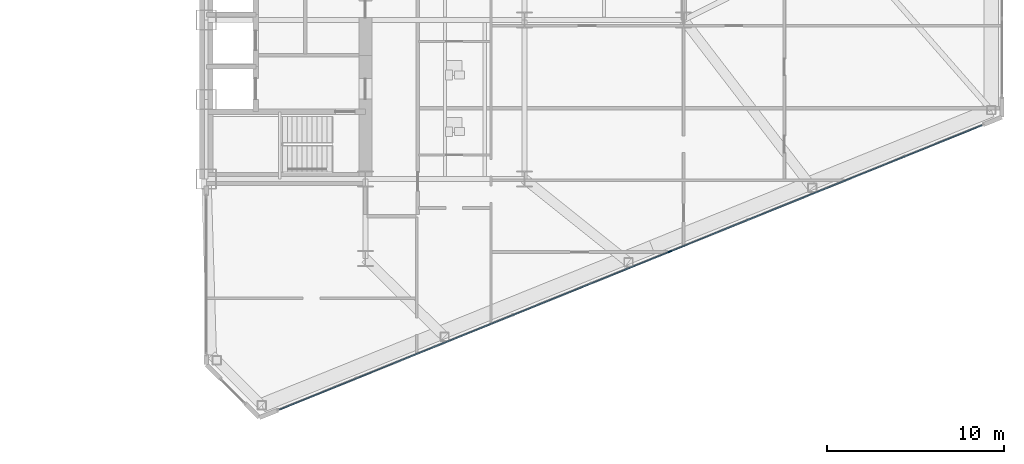
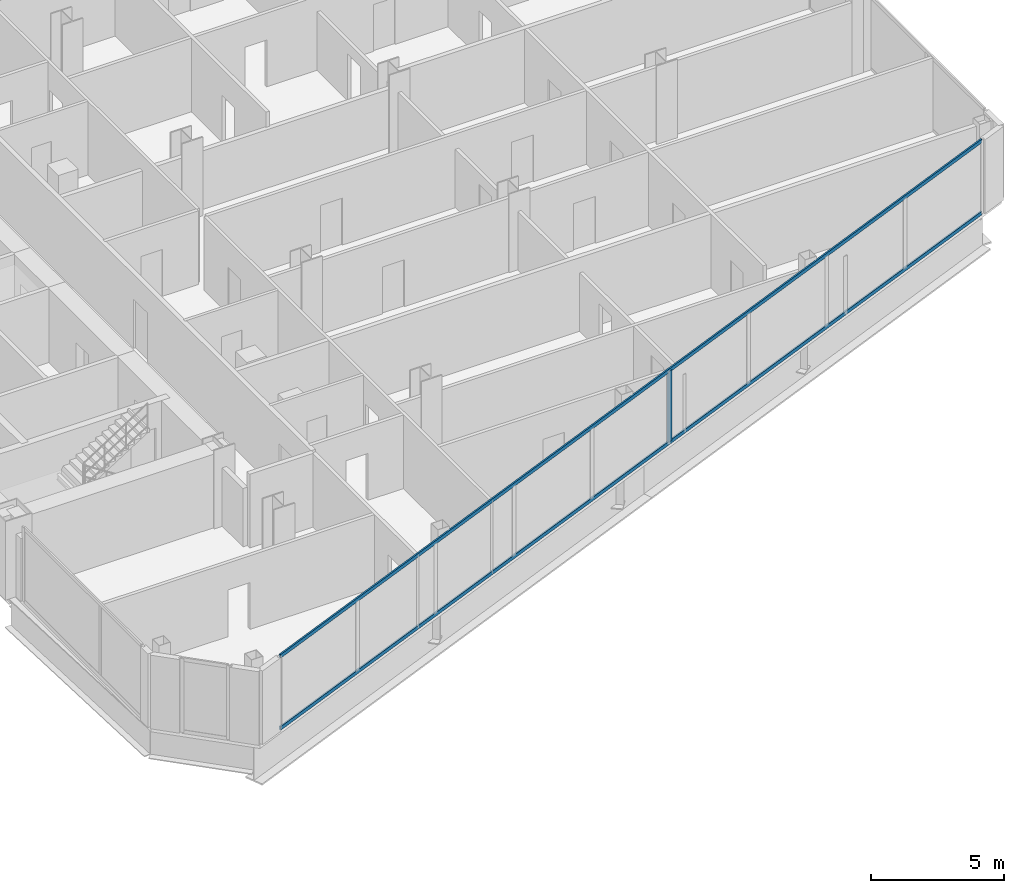
# One storey, part 11 of 26: 3 members, 1 element without a shape of its own.
"""IFC4 building model written with IfcOpenShell, lengths in metres."""

from ifc_helpers import new_model, si_unit, direction, frame, origin, origin_2d, place, context, subcontext, project, spatial, rectangle, extrude, source, transform, mapped, material, layer, layer_set, material_profile, profile_set, type_object, type_shapes, element, aggregate, save


model = new_model("IFC4")

# Units and contexts
model_context = context("Model", 3, precision=1e-05, world=origin(), true_north=direction((0.0, 1.0)))
body_context = subcontext(model_context, "Body", "Model", "MODEL_VIEW")
ifc_project = project(units=[si_unit("LENGTHUNIT", "METRE"), si_unit("AREAUNIT", "SQUARE_METRE"), si_unit("VOLUMEUNIT", "CUBIC_METRE"), si_unit("PLANEANGLEUNIT", "RADIAN"), si_unit("MASSUNIT", "GRAM", prefix="KILO")], contexts=[model_context])

# Site, building, storey
site_placement = place(None, origin())
site = spatial("IfcSite", under=ifc_project, at=site_placement, CompositionType="ELEMENT")
building_placement = place(site_placement, origin())
building = spatial("IfcBuilding", under=site, at=building_placement, Name="Seokmaru Belvedere", CompositionType="ELEMENT")
storey_placement = place(building_placement, frame((0.0, 0.0, 18.89990234375)))
storey = spatial("IfcBuildingStorey", under=building, at=storey_placement, Name="L04", CompositionType="ELEMENT", Elevation=18.89990234375)

# Curtain wall, members
ifc_material_1 = material(Name="Bronze Triple Insulating Glass", Category="glass")
ifc_layer = layer(ifc_material_1, 0.2099609375)
ifc_layer_set = layer_set([ifc_layer], Name="Bronze Triple Insulating Glass")
curtain_wall_type = type_object("IfcCurtainWallType", Name="Low-Rise Faceted Crystal Curtain Wall System CW-2", PredefinedType="NOTDEFINED", material=ifc_layer_set)
curtain_wall_placement = place(storey_placement, origin())
curtain_wall = element("IfcCurtainWall", 1, at=curtain_wall_placement, inside=storey, type_object=curtain_wall_type, Name="L04 Curtain Wall EF1", PredefinedType="NOTDEFINED")
ifc_material_2 = material(Name="Anodised Bronze Aluminium", Category="aluminium")
ifc_material_profile_1 = material_profile(ifc_material_2, rectangle(XDim=0.074951171875, YDim=0.2099609375, at=origin_2d()), Name="CW-M-75x210")
ifc_profile_set_1 = profile_set([ifc_material_profile_1], Name="Anodised Bronze Aluminium")
member_type_1 = type_object("IfcMemberType", Name="Bronze Unitised Mullion 75x210", PredefinedType="MULLION", material=ifc_profile_set_1)
shared_shape_1 = source(origin(), body_context, "Body", "SweptSolid", [
    extrude(rectangle(XDim=0.074951171875, YDim=0.2099609375, at=origin_2d()), origin(), (0.0, 0.0, 1.0), 3.239990234375),
])
type_shapes(member_type_1, [shared_shape_1])
member_1_placement = place(storey_placement, frame((53.71484375, -17.603515625, 0.070068359375), z_axis=(0.0, 0.0, 1.0), x_axis=(-0.375192321888, 0.926946989637, 0.0)))
member_1 = element("IfcMember", 2, at=member_1_placement, type_object=member_type_1, Name="CW:L04:EF1 Mullion 6", PredefinedType="MULLION", context=body_context, shape_type="MappedRepresentation", body=[
    mapped(shared_shape_1, transform((0.0, 0.0, 0.0), scale=1.0)),
])
ifc_material_profile_2 = material_profile(ifc_material_2, rectangle(XDim=0.070068359375, YDim=0.1650390625, at=origin_2d()), Name="CW-T-70x165")
ifc_profile_set_2 = profile_set([ifc_material_profile_2], Name="Anodised Bronze Aluminium")
member_type_2 = type_object("IfcMemberType", Name="Bronze Unitised Transom 70x165", PredefinedType="USERDEFINED", material=ifc_profile_set_2)
shared_shape_2 = source(origin(), body_context, "Body", "SweptSolid", [
    extrude(rectangle(XDim=0.070068359375, YDim=0.1650390625, at=origin_2d()), origin(), (0.0, 0.0, 1.0), 42.860107421875),
])
type_shapes(member_type_2, [shared_shape_2])
member_2_placement = place(storey_placement, frame((31.635498046875, -26.540283203125, 0.03515625), z_axis=(0.926948605599, 0.375188329481, 0.0), x_axis=(-0.375188329481, 0.926948605599, 0.0)))
member_2 = element("IfcMember", 3, at=member_2_placement, type_object=member_type_2, Name="CW:L04:EF1 Continuous Transom 1", ObjectType="TRANSOM", PredefinedType="USERDEFINED", context=body_context, shape_type="MappedRepresentation", body=[
    mapped(shared_shape_2, transform((0.0, 0.0, 0.0), scale=1.0)),
])
member_3_placement = place(storey_placement, frame((31.635498046875, -26.540283203125, 3.34521484375), z_axis=(0.926948605599, 0.375188329481, 0.0), x_axis=(-0.375188329481, 0.926948605599, 0.0)))
member_3 = element("IfcMember", 4, at=member_3_placement, type_object=member_type_2, Name="CW:L04:EF1 Continuous Transom 2", ObjectType="TRANSOM", PredefinedType="USERDEFINED", context=body_context, shape_type="MappedRepresentation", body=[
    mapped(shared_shape_2, transform((0.0, 0.0, 0.0), scale=1.0)),
])
aggregate(curtain_wall, [member_1, member_2, member_3])

save(model, "model.ifc")
